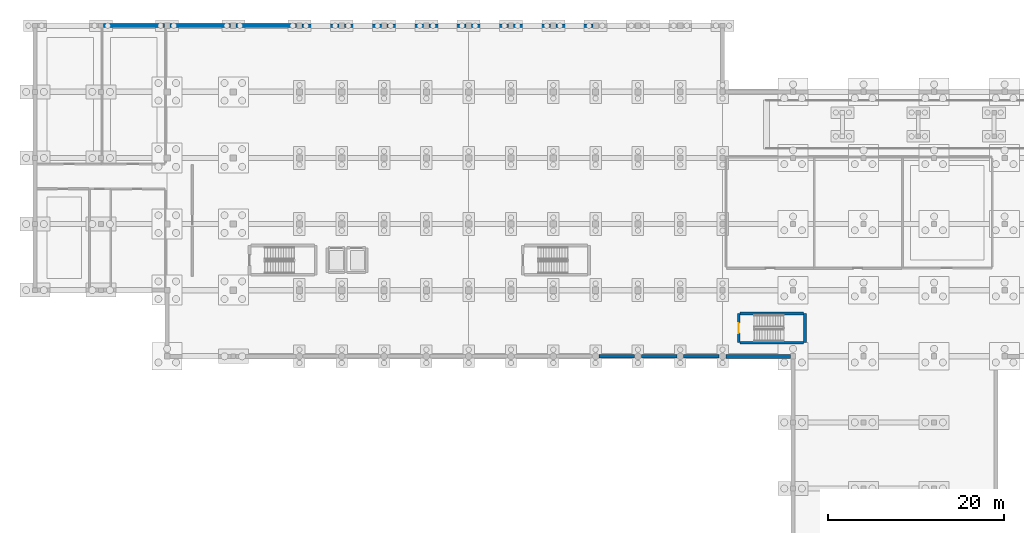
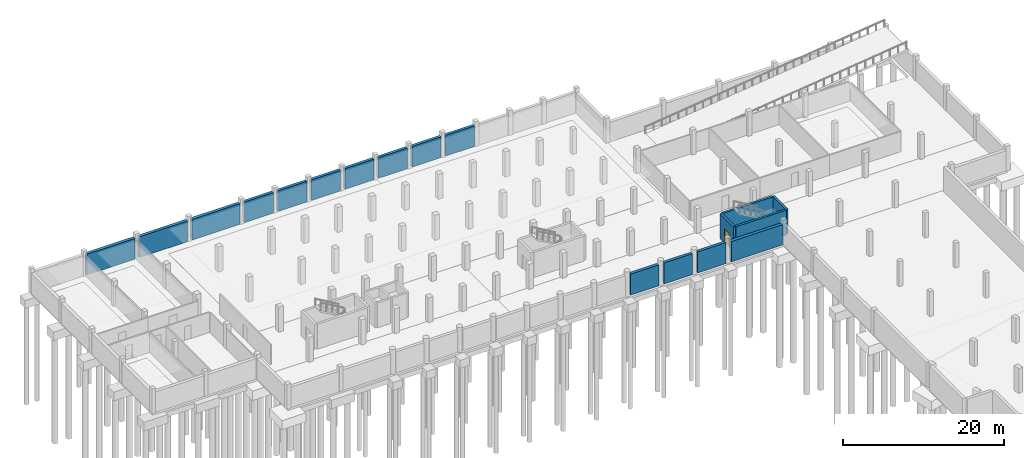
# One storey, part 8 of 17: 18 walls, 1 door, 1 opening.
"""IFC4 building model written with IfcOpenShell, lengths in metres."""

from ifc_helpers import new_model, si_unit, direction, frame, frame_2d, origin, place, context, subcontext, project, spatial, rectangle, extrude, material, layer, layer_set, type_object, element, fill, save


model = new_model("IFC4")

# Units and contexts
model_context = context("Model", 3, precision=1e-05, world=origin(), true_north=direction((0.0, 1.0)))
body_context = subcontext(model_context, "Body", "Model", "MODEL_VIEW")
ifc_project = project(units=[si_unit("LENGTHUNIT", "METRE"), si_unit("AREAUNIT", "SQUARE_METRE"), si_unit("VOLUMEUNIT", "CUBIC_METRE"), si_unit("PLANEANGLEUNIT", "RADIAN"), si_unit("MASSUNIT", "GRAM", prefix="KILO")], contexts=[model_context])

# Site, building, storey
site_placement = place(None, origin())
site = spatial("IfcSite", under=ifc_project, at=site_placement, CompositionType="ELEMENT")
building_placement = place(site_placement, origin())
building = spatial("IfcBuilding", under=site, at=building_placement, Name="Mawjan Specialist Oncology Clinic", CompositionType="ELEMENT")
storey_placement = place(building_placement, frame((0.0, 0.0, -4.199951171875)))
storey = spatial("IfcBuildingStorey", under=building, at=storey_placement, Name="B01", CompositionType="ELEMENT", Elevation=-4.199951171875)

# Walls
ifc_material_1 = material(Name="Concrete C40/50", Category="concrete")
ifc_layer_1 = layer(ifc_material_1, 0.39990234375, Name="Concrete C40/50", Category="concrete")
ifc_layer_set_1 = layer_set([ifc_layer_1], Name="Concrete C40/50")
wall_type_1 = type_object("IfcWallType", Name="RW-400", PredefinedType="USERDEFINED", material=ifc_layer_set_1)
for number, where, z_axis, x_axis, name in (
    (1, (107.614990234375, 75.800048828125, 0.0), (0.0, 0.0, 1.0), (-1.0, 0.0, 0.0), "B01 Perimeter Retaining Wall 10"),
    (2, (102.81494140625, 75.800048828125, 0.0), (0.0, 0.0, 1.0), (-1.0, 0.0, 0.0), "B01 Perimeter Retaining Wall 11"),
):
    element("IfcWall", number, at=place(storey_placement, frame(where, z_axis=z_axis, x_axis=x_axis)), inside=storey, type_object=wall_type_1, Name=name, ObjectType="RETAININGWALL", PredefinedType="USERDEFINED", context=body_context, shape_type="SweptSolid", body=[
        extrude(rectangle(XDim=4.030029296875, YDim=0.39990234375, at=frame_2d((2.01513671875, 0.0))), origin(), (0.0, 0.0, 1.0), 3.179931640625),
    ])
wall_1_placement = place(storey_placement, frame((98.014892578125, 75.800048828125, 0.0), z_axis=(0.0, 0.0, 1.0), x_axis=(-1.0, 0.0, 0.0)))
element("IfcWall", 3, at=wall_1_placement, inside=storey, type_object=wall_type_1, Name="B01 Perimeter Retaining Wall 12", ObjectType="RETAININGWALL", PredefinedType="USERDEFINED", context=body_context, shape_type="SweptSolid", body=[
    extrude(rectangle(XDim=4.02978515625, YDim=0.39990234375, at=frame_2d((2.014892578125, 0.0))), origin(), (0.0, 0.0, 1.0), 3.179931640625),
])
for number, where, z_axis, x_axis, name in (
    (4, (60.31005859375, 113.300048828125, 0.0), (0.0, 0.0, 1.0), (1.0, 0.0, 0.0), "B01 Perimeter Retaining Wall 33"),
    (5, (65.110107421875, 113.300048828125, 0.0), (0.0, 0.0, 1.0), (1.0, 0.0, 0.0), "B01 Perimeter Retaining Wall 34"),
):
    element("IfcWall", number, at=place(storey_placement, frame(where, z_axis=z_axis, x_axis=x_axis)), inside=storey, type_object=wall_type_1, Name=name, ObjectType="RETAININGWALL", PredefinedType="USERDEFINED", context=body_context, shape_type="SweptSolid", body=[
        extrude(rectangle(XDim=4.179931640625, YDim=0.39990234375, at=frame_2d((2.08984375, 0.0))), origin(), (0.0, 0.0, 1.0), 3.1298828125),
    ])
wall_2_placement = place(storey_placement, frame((69.909912109375, 113.300048828125, 0.0), z_axis=(0.0, 0.0, 1.0), x_axis=(1.0, 0.0, 0.0)))
element("IfcWall", 6, at=wall_2_placement, inside=storey, type_object=wall_type_1, Name="B01 Perimeter Retaining Wall 35", ObjectType="RETAININGWALL", PredefinedType="USERDEFINED", context=body_context, shape_type="SweptSolid", body=[
    extrude(rectangle(XDim=4.18017578125, YDim=0.39990234375, at=frame_2d((2.090087890625, 0.0))), origin(), (0.0, 0.0, 1.0), 3.1298828125),
])
for number, where, z_axis, x_axis, name in (
    (7, (74.7099609375, 113.300048828125, 0.0), (0.0, 0.0, 1.0), (1.0, 0.0, 0.0), "B01 Perimeter Retaining Wall 36"),
    (8, (79.510009765625, 113.300048828125, 0.0), (0.0, 0.0, 1.0), (1.0, 0.0, 0.0), "B01 Perimeter Retaining Wall 37"),
    (9, (84.31005859375, 113.300048828125, 0.0), (0.0, 0.0, 1.0), (1.0, 0.0, 0.0), "B01 Perimeter Retaining Wall 38"),
    (10, (89.110107421875, 113.300048828125, 0.0), (0.0, 0.0, 1.0), (1.0, 0.0, 0.0), "B01 Perimeter Retaining Wall 39"),
):
    element("IfcWall", number, at=place(storey_placement, frame(where, z_axis=z_axis, x_axis=x_axis)), inside=storey, type_object=wall_type_1, Name=name, ObjectType="RETAININGWALL", PredefinedType="USERDEFINED", context=body_context, shape_type="SweptSolid", body=[
        extrude(rectangle(XDim=4.179931640625, YDim=0.39990234375, at=frame_2d((2.08984375, 0.0))), origin(), (0.0, 0.0, 1.0), 3.1298828125),
    ])
ifc_material_2 = material(Name="Concrete C40/50", Category="concrete")
ifc_layer_2 = layer(ifc_material_2, 0.449951171875, Name="Concrete C40/50", Category="concrete")
ifc_layer_set_2 = layer_set([ifc_layer_2], Name="Concrete C40/50")
wall_type_2 = type_object("IfcWallType", Name="RW-450", PredefinedType="USERDEFINED", material=ifc_layer_set_2)
wall_3_placement = place(storey_placement, frame((115.68994140625, 75.800048828125, 0.0), z_axis=(0.0, 0.0, 1.0), x_axis=(-1.0, 0.0, 0.0)))
element("IfcWall", 11, at=wall_3_placement, inside=storey, type_object=wall_type_2, Name="B01 Perimeter Retaining Wall 9", ObjectType="RETAININGWALL", PredefinedType="USERDEFINED", context=body_context, shape_type="SweptSolid", body=[
    extrude(rectangle(XDim=7.304931640625, YDim=0.449951171875, at=frame_2d((3.65234375, 0.0))), origin(), (0.0, 0.0, 1.0), 3.079833984375),
])
wall_4_placement = place(storey_placement, frame((37.784912109375, 113.300048828125, 0.0), z_axis=(0.0, 0.0, 1.0), x_axis=(1.0, 0.0, 0.0)))
element("IfcWall", 12, at=wall_4_placement, inside=storey, type_object=wall_type_2, Name="B01 Perimeter Retaining Wall 30", ObjectType="RETAININGWALL", PredefinedType="USERDEFINED", context=body_context, shape_type="SweptSolid", body=[
    extrude(rectangle(XDim=6.905029296875, YDim=0.449951171875, at=frame_2d((3.45263671875, 0.0))), origin(), (0.0, 0.0, 1.0), 3.1298828125),
])
for number, where, z_axis, x_axis, name in (
    (13, (45.31005859375, 113.300048828125, 0.0), (0.0, 0.0, 1.0), (1.0, 0.0, 0.0), "B01 Perimeter Retaining Wall 31"),
    (14, (52.81005859375, 113.300048828125, 0.0), (0.0, 0.0, 1.0), (1.0, 0.0, 0.0), "B01 Perimeter Retaining Wall 32"),
):
    element("IfcWall", number, at=place(storey_placement, frame(where, z_axis=z_axis, x_axis=x_axis)), inside=storey, type_object=wall_type_2, Name=name, ObjectType="RETAININGWALL", PredefinedType="USERDEFINED", context=body_context, shape_type="SweptSolid", body=[
        extrude(rectangle(XDim=6.8798828125, YDim=0.449951171875, at=frame_2d((3.43994140625, 0.0))), origin(), (0.0, 0.0, 1.0), 3.1298828125),
    ])
ifc_material_3 = material(Name="Concrete C45/55", Category="concrete")
ifc_layer_3 = layer(ifc_material_3, 0.320068359375, Name="Concrete C45/55", Category="concrete")
ifc_layer_set_3 = layer_set([ifc_layer_3], Name="Concrete C45/55")
wall_type_3 = type_object("IfcWallType", Name="SW-350", PredefinedType="SHEAR", material=ifc_layer_set_3)
wall_5_placement = place(storey_placement, frame((110.0048828125, 77.340087890625, 0.0), z_axis=(0.0, 0.0, 1.0), x_axis=(1.0, 0.0, 0.0)))
element("IfcWall", 15, at=wall_5_placement, inside=storey, type_object=wall_type_3, Name="B01 Core K8 Stair Shear Wall 1", PredefinedType="SHEAR", context=body_context, shape_type="SweptSolid", body=[
    extrude(rectangle(XDim=7.190185546875, YDim=0.320068359375, at=frame_2d((3.59521484375, 0.0))), origin(), (0.0, 0.0, 1.0), 3.780029296875),
])
wall_6_placement = place(storey_placement, frame((117.360107421875, 77.340087890625, 0.0), z_axis=(0.0, 0.0, 1.0), x_axis=(0.0, 1.0, 0.0)))
element("IfcWall", 16, at=wall_6_placement, inside=storey, type_object=wall_type_3, Name="B01 Core K8 Stair Shear Wall 2", PredefinedType="SHEAR", context=body_context, shape_type="SweptSolid", body=[
    extrude(rectangle(XDim=3.31982421875, YDim=0.320068359375, at=frame_2d((1.659912109375, 0.0))), origin(), (0.0, 0.0, 1.0), 3.780029296875),
])
wall_7_placement = place(storey_placement, frame((117.195068359375, 80.659912109375, 0.0), z_axis=(0.0, 0.0, 1.0), x_axis=(-1.0, 0.0, 0.0)))
element("IfcWall", 17, at=wall_7_placement, inside=storey, type_object=wall_type_3, Name="B01 Core K8 Stair Shear Wall 3", PredefinedType="SHEAR", context=body_context, shape_type="SweptSolid", body=[
    extrude(rectangle(XDim=7.190185546875, YDim=0.320068359375, at=frame_2d((3.59521484375, 0.0))), origin(), (0.0, 0.0, 1.0), 3.780029296875),
])

# Wall, opening, door
wall_8_placement = place(storey_placement, frame((109.840087890625, 80.659912109375, 0.0), z_axis=(0.0, 0.0, 1.0), x_axis=(0.0, -1.0, 0.0)))
wall_8 = element("IfcWall", 18, at=wall_8_placement, inside=storey, type_object=wall_type_3, Name="B01 Core K8 Stair Shear Wall 4", PredefinedType="SHEAR", context=body_context, shape_type="SweptSolid", body=[
    extrude(rectangle(XDim=3.31982421875, YDim=0.320068359375, at=frame_2d((1.659912109375, 0.0))), origin(), (0.0, 0.0, 1.0), 3.780029296875),
])
opening_placement = place(wall_8_placement, frame((1.0849609375, 0.0, 0.0)))
opening = element("IfcOpeningElement", 19, at=opening_placement, cuts=wall_8, Name="Opening FD-90", PredefinedType="OPENING", context=body_context, shape_type="SweptSolid", body=[
    extrude(rectangle(XDim=1.14990234375, YDim=2.14990234375, at=frame_2d((0.574951171875, 1.074951171875))), frame((0.0, 0.172119140625, 0.0), z_axis=(0.0, -1.0, 0.0), x_axis=(1.0, 0.0, 0.0)), (0.0, 0.0, 1.0), 0.343994140625),
])
ifc_material_4 = material(Name="Stainless-steel fire-rated hospital door", Category="steel")
door_type = type_object("IfcDoorType", Name="FD-90", OperationType="NOTDEFINED", PredefinedType="DOOR", material=ifc_material_4)
door_placement = place(opening_placement, origin())
door = element("IfcDoor", 20, at=door_placement, inside=storey, type_object=door_type, Name="B01 ST-08 Fire Exit Stair Door", OperationType="SINGLE_SWING_RIGHT", OverallHeight=2.14990234375, OverallWidth=1.14990234375, PredefinedType="DOOR", context=body_context, shape_type="SweptSolid", body=[
    extrude(rectangle(XDim=1.14990234375, YDim=2.14990234375, at=frame_2d((0.574951171875, 1.074951171875))), frame((0.0, 0.02490234375, 0.0), z_axis=(0.0, -1.0, 0.0), x_axis=(1.0, 0.0, 0.0)), (0.0, 0.0, 1.0), 0.050048828125),
])
fill(opening, door)

save(model, "model.ifc")
